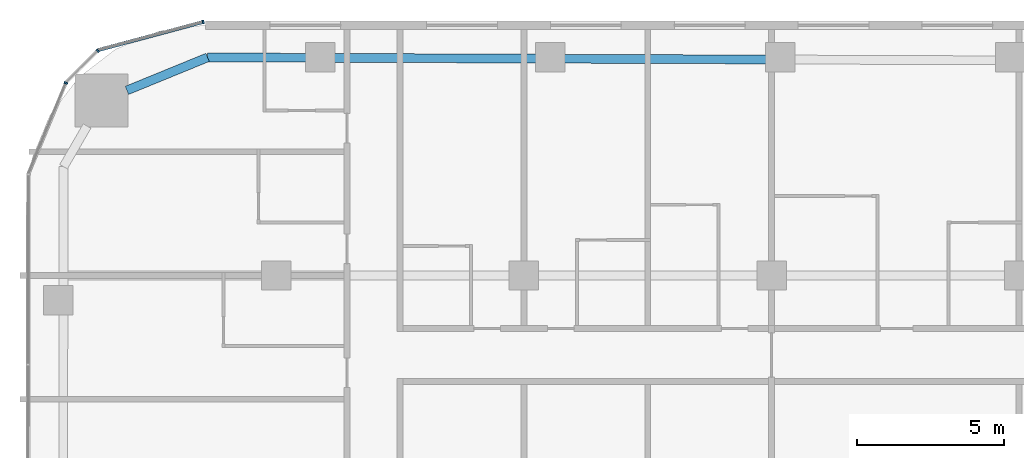
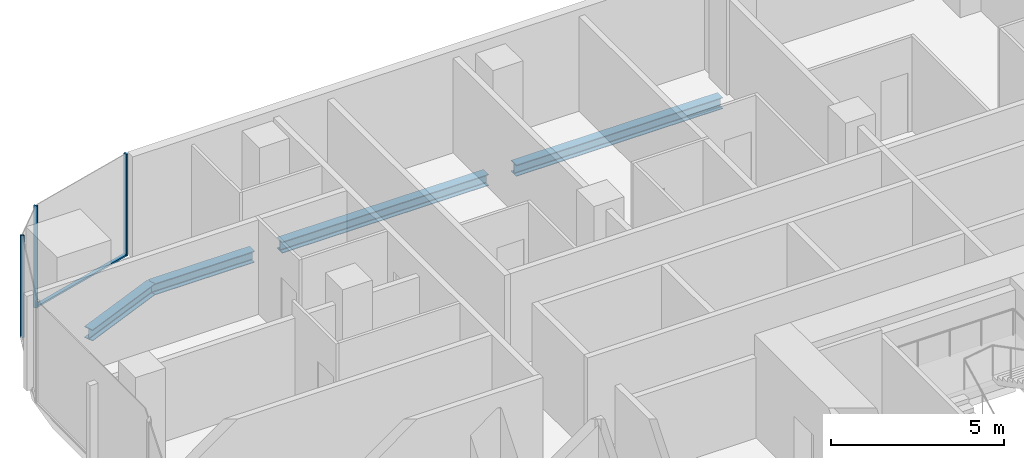
# One storey, part 10 of 26: 4 beams, 4 members, 3 elements without a shape of their own.
"""IFC4 building model written with IfcOpenShell, lengths in metres."""

from ifc_helpers import new_model, si_unit, direction, frame, origin, origin_2d, place, context, subcontext, project, spatial, rectangle, i_section, extrude, material, layer, layer_set, material_profile, profile_set, type_object, element, aggregate, save


model = new_model("IFC4")

# Units and contexts
model_context = context("Model", 3, precision=1e-05, world=origin(), true_north=direction((0.0, 1.0)))
body_context = subcontext(model_context, "Body", "Model", "MODEL_VIEW")
ifc_project = project(units=[si_unit("LENGTHUNIT", "METRE"), si_unit("AREAUNIT", "SQUARE_METRE"), si_unit("VOLUMEUNIT", "CUBIC_METRE"), si_unit("PLANEANGLEUNIT", "RADIAN"), si_unit("MASSUNIT", "GRAM", prefix="KILO")], contexts=[model_context])

# Site, building, storey
site_placement = place(None, origin())
site = spatial("IfcSite", under=ifc_project, at=site_placement, CompositionType="ELEMENT")
building_placement = place(site_placement, origin())
building = spatial("IfcBuilding", under=site, at=building_placement, Name="Marenta Gate Hotel Tower", CompositionType="ELEMENT")
storey_placement = place(building_placement, frame((0.0, 0.0, 58.10009765625)))
storey = spatial("IfcBuildingStorey", under=building, at=storey_placement, Name="L12", CompositionType="ELEMENT", Elevation=58.10009765625)

# Beams
ifc_material_1 = material(Name="Steel S355", Category="steel")
ifc_material_profile_1 = material_profile(ifc_material_1, i_section(OverallWidth=0.300048828125, OverallDepth=0.39990234375, WebThickness=0.013427734375, FlangeThickness=0.02392578125, FilletRadius=0.027099609375, at=origin_2d()), Name="HEB 400")
ifc_profile_set_1 = profile_set([ifc_material_profile_1], Name="Steel S355")
beam_type = type_object("IfcBeamType", Name="Edge beam HEB 400", PredefinedType="SPANDREL", material=ifc_profile_set_1)
beam_1_placement = place(storey_placement, frame((-26.072509765625, 31.47998046875, -0.460205078125), z_axis=(0.925545641603, 0.378636059177, 0.0), x_axis=(-0.378636059177, 0.925545641603, 0.0)))
element("IfcBeam", 1, at=beam_1_placement, inside=storey, type_object=beam_type, Name="L12-EB-12", PredefinedType="SPANDREL", context=body_context, shape_type="SweptSolid", body=[
    extrude(i_section(OverallWidth=0.300048828125, OverallDepth=0.39990234375, WebThickness=0.013427734375, FlangeThickness=0.02392578125, FilletRadius=0.027099609375, at=origin_2d()), origin(), (0.0, 0.0, 1.0), 2.958251953125),
])
beam_2_placement = place(storey_placement, frame((-23.33447265625, 32.60009765625, -0.460205078125), z_axis=(0.999992894549, -0.00376972818, 0.0), x_axis=(0.00376972818, 0.999992894549, 0.0)))
element("IfcBeam", 2, at=beam_2_placement, inside=storey, type_object=beam_type, Name="L12-EB-13", PredefinedType="SPANDREL", context=body_context, shape_type="SweptSolid", body=[
    extrude(i_section(OverallWidth=0.300048828125, OverallDepth=0.39990234375, WebThickness=0.013427734375, FlangeThickness=0.02392578125, FilletRadius=0.027099609375, at=origin_2d()), origin(), (0.0, 0.0, 1.0), 3.36767578125),
])
for number, where, z_axis, x_axis, name in (
    (3, (-19.046875, 32.583984375, -0.460205078125), (0.999993064268, -0.003724435008, 0.0), (0.003724435008, 0.999993064268, 0.0), "L12-EB-14"),
    (4, (-11.244140625, 32.554931640625, -0.460205078125), (0.999993064268, -0.003724435008, 0.0), (0.003724435008, 0.999993064268, 0.0), "L12-EB-15"),
):
    element("IfcBeam", number, at=place(storey_placement, frame(where, z_axis=z_axis, x_axis=x_axis)), inside=storey, type_object=beam_type, Name=name, PredefinedType="SPANDREL", context=body_context, shape_type="SweptSolid", body=[
        extrude(i_section(OverallWidth=0.300048828125, OverallDepth=0.39990234375, WebThickness=0.013427734375, FlangeThickness=0.02392578125, FilletRadius=0.027099609375, at=origin_2d()), origin(), (0.0, 0.0, 1.0), 6.8828125),
    ])

# Curtain wall, member
ifc_material_2 = material(Name="Tinted insulated glass in bronze anodised frame", Category="glass")
ifc_layer = layer(ifc_material_2, 0.1201171875)
ifc_layer_set = layer_set([ifc_layer], Name="Tinted insulated glass in bronze anodised frame")
curtain_wall_type = type_object("IfcCurtainWallType", Name="Tower unitised curtain wall CW1", PredefinedType="NOTDEFINED", material=ifc_layer_set)
curtain_wall_1_placement = place(storey_placement, origin())
curtain_wall_1 = element("IfcCurtainWall", 5, at=curtain_wall_1_placement, inside=storey, type_object=curtain_wall_type, Name="CW1 run G00", PredefinedType="NOTDEFINED")
ifc_material_3 = material(Name="Bronze anodised aluminium", Category="aluminium")
ifc_material_profile_2 = material_profile(ifc_material_3, rectangle(XDim=0.1201171875, YDim=0.06005859375, at=origin_2d()), Name="Mullion CW1 60x120 bronze anodised aluminium")
ifc_profile_set_2 = profile_set([ifc_material_profile_2], Name="Bronze anodised aluminium")
member_type_1 = type_object("IfcMemberType", Name="Mullion CW1 60x120 bronze anodised aluminium", PredefinedType="MULLION", material=ifc_profile_set_2)
member_1_placement = place(storey_placement, frame((-23.485595703125, 33.80322265625, 0.0), z_axis=(0.0, 0.0, 1.0), x_axis=(0.258801657317, -0.965930485164, 0.0)))
member_1 = element("IfcMember", 6, at=member_1_placement, type_object=member_type_1, Name="CW1 mullion 1", PredefinedType="MULLION", context=body_context, shape_type="SweptSolid", body=[
    extrude(rectangle(XDim=0.1201171875, YDim=0.06005859375, at=origin_2d()), origin(), (0.0, 0.0, 1.0), 3.599853515625),
])

curtain_wall_2_placement = place(storey_placement, origin())
curtain_wall_2 = element("IfcCurtainWall", 7, at=curtain_wall_2_placement, inside=storey, type_object=curtain_wall_type, Name="CW1 run G01", PredefinedType="NOTDEFINED")
member_2_placement = place(storey_placement, frame((-27.06103515625, 32.82958984375, 0.0), z_axis=(0.0, 0.0, 1.0), x_axis=(0.707106781187, -0.707106781187, 0.0)))
member_2 = element("IfcMember", 8, at=member_2_placement, type_object=member_type_1, Name="CW1 mullion 1", PredefinedType="MULLION", context=body_context, shape_type="SweptSolid", body=[
    extrude(rectangle(XDim=0.1201171875, YDim=0.06005859375, at=origin_2d()), origin(), (0.0, 0.0, 1.0), 3.599853515625),
])
aggregate(curtain_wall_2, [member_2])

curtain_wall_3_placement = place(storey_placement, origin())
curtain_wall_3 = element("IfcCurtainWall", 9, at=curtain_wall_3_placement, inside=storey, type_object=curtain_wall_type, Name="CW1 run G02", PredefinedType="NOTDEFINED")
member_3_placement = place(storey_placement, frame((-28.142333984375, 31.732177734375, 0.0), z_axis=(0.0, 0.0, 1.0), x_axis=(0.923885075314, -0.382670050581, 0.0)))
member_3 = element("IfcMember", 10, at=member_3_placement, type_object=member_type_1, Name="CW1 mullion 1", PredefinedType="MULLION", context=body_context, shape_type="SweptSolid", body=[
    extrude(rectangle(XDim=0.1201171875, YDim=0.06005859375, at=origin_2d()), origin(), (0.0, 0.0, 1.0), 3.599853515625),
])
aggregate(curtain_wall_3, [member_3])

# Member
ifc_material_4 = material(Name="Bronze anodised aluminium", Category="aluminium")
ifc_material_profile_3 = material_profile(ifc_material_4, rectangle(XDim=0.1201171875, YDim=0.06005859375, at=origin_2d()), Name="Transom CW1 60x120 bronze anodised aluminium")
ifc_profile_set_3 = profile_set([ifc_material_profile_3], Name="Bronze anodised aluminium")
member_type_2 = type_object("IfcMemberType", Name="Transom CW1 60x120 bronze anodised aluminium", PredefinedType="USERDEFINED", material=ifc_profile_set_3)
member_4_placement = place(storey_placement, frame((-23.514404296875, 33.79541015625, 0.02978515625), z_axis=(-0.965928942389, -0.258807415381, 0.0), x_axis=(0.258807415381, -0.965928942389, 0.0)))
member_4 = element("IfcMember", 11, at=member_4_placement, type_object=member_type_2, Name="CW1 transom 1.1", ObjectType="TRANSOM", PredefinedType="USERDEFINED", context=body_context, shape_type="SweptSolid", body=[
    extrude(rectangle(XDim=0.1201171875, YDim=0.06005859375, at=origin_2d()), origin(), (0.0, 0.0, 1.0), 3.649658203125),
])

aggregate(curtain_wall_1, [member_1, member_4])

save(model, "model.ifc")
